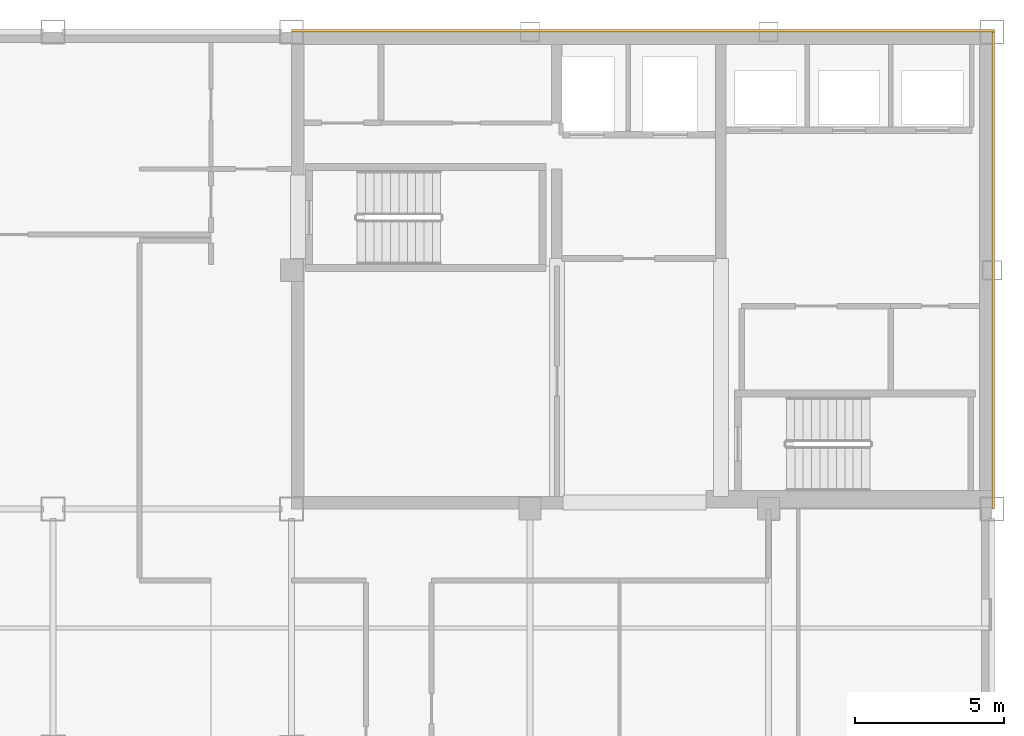
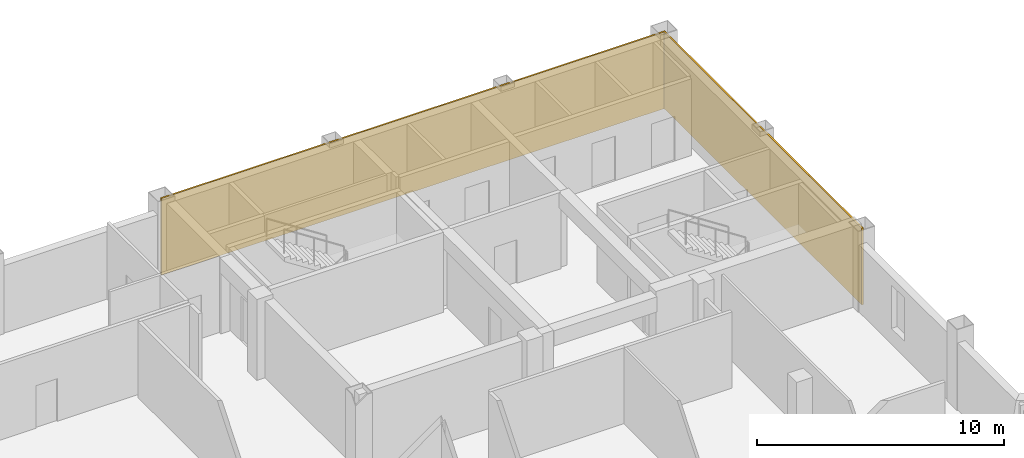
# One storey, part 7 of 7: 2 coverings.
"""IFC4 building model written with IfcOpenShell, lengths in metres."""

from ifc_helpers import new_model, si_unit, direction, frame, origin, origin_2d, place, context, subcontext, project, spatial, rectangle, extrude, material, layer, layer_set, type_object, element, save


model = new_model("IFC4")

# Units and contexts
model_context = context("Model", 3, precision=1e-05, world=origin(), true_north=direction((0.0, 1.0)))
body_context = subcontext(model_context, "Body", "Model", "MODEL_VIEW")
ifc_project = project(units=[si_unit("LENGTHUNIT", "METRE"), si_unit("AREAUNIT", "SQUARE_METRE"), si_unit("VOLUMEUNIT", "CUBIC_METRE"), si_unit("PLANEANGLEUNIT", "RADIAN"), si_unit("MASSUNIT", "GRAM", prefix="KILO")], contexts=[model_context])

# Site, building, storey
site_placement = place(None, origin())
site = spatial("IfcSite", under=ifc_project, at=site_placement, CompositionType="ELEMENT")
building_placement = place(site_placement, origin())
building = spatial("IfcBuilding", under=site, at=building_placement, Name="Qianrong Seaharbour Tower", CompositionType="ELEMENT")
storey_placement = place(building_placement, frame((0.0, 0.0, 327.199951171875)))
storey = spatial("IfcBuildingStorey", under=building, at=storey_placement, Name="L79", CompositionType="ELEMENT", Elevation=327.199951171875)

# Coverings
ifc_material = material(Name="Unitised red brick cladding on Precast concrete C45/55", Category="masonry")
ifc_layer = layer(ifc_material, 0.080078125)
ifc_layer_set = layer_set([ifc_layer], Name="Unitised red brick cladding on Precast concrete C45/55")
covering_type = type_object("IfcCoveringType", Name="COV-CLAD-RED-BRICK-80", PredefinedType="CLADDING", material=ifc_layer_set)
covering_1_placement = place(storey_placement, frame((52.2900390625, 52.0400390625, 0.0), z_axis=(0.0, 0.0, 1.0), x_axis=(1.0, 0.0, 0.0)))
element("IfcCovering", 1, at=covering_1_placement, inside=storey, type_object=covering_type, Name="L79 North Core Brick Veneer Cladding", PredefinedType="CLADDING", context=body_context, shape_type="SweptSolid", body=[
    extrude(rectangle(XDim=23.580078125, YDim=0.080078125, at=origin_2d()), origin(), (0.0, 0.0, 1.0), 3.784912109375),
])
covering_2_placement = place(storey_placement, frame((64.0400390625, 44.0, 0.0), z_axis=(0.0, 0.0, 1.0), x_axis=(1.0, 0.0, 0.0)))
element("IfcCovering", 2, at=covering_2_placement, inside=storey, type_object=covering_type, Name="L79 East Core Brick Veneer Cladding", PredefinedType="CLADDING", context=body_context, shape_type="SweptSolid", body=[
    extrude(rectangle(XDim=0.080078125, YDim=16.0, at=origin_2d()), origin(), (0.0, 0.0, 1.0), 3.784912109375),
])

save(model, "model.ifc")
